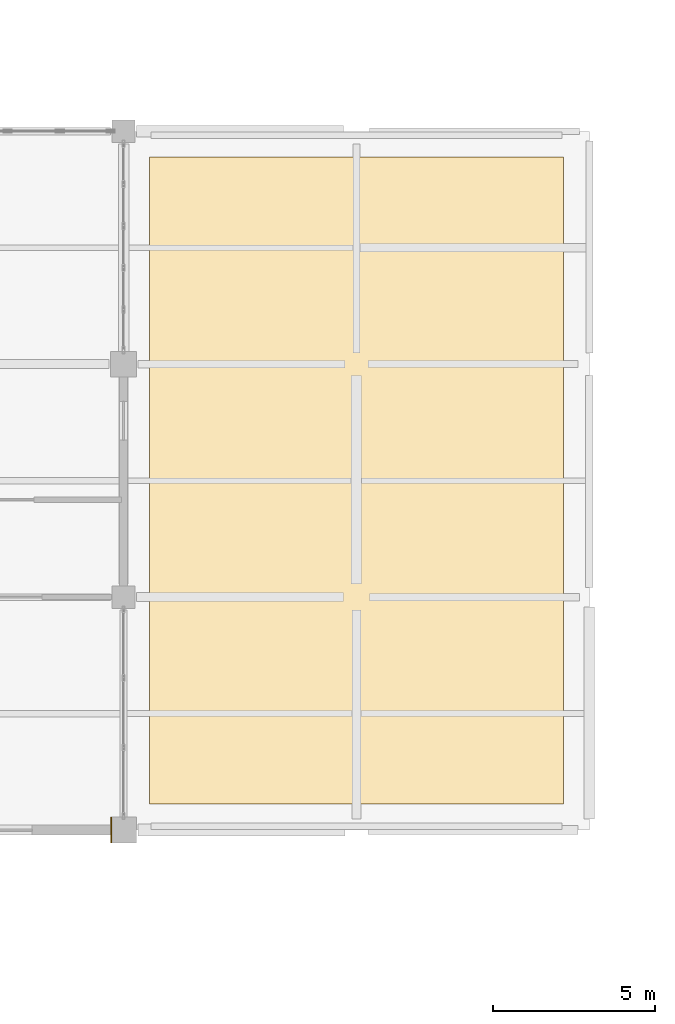
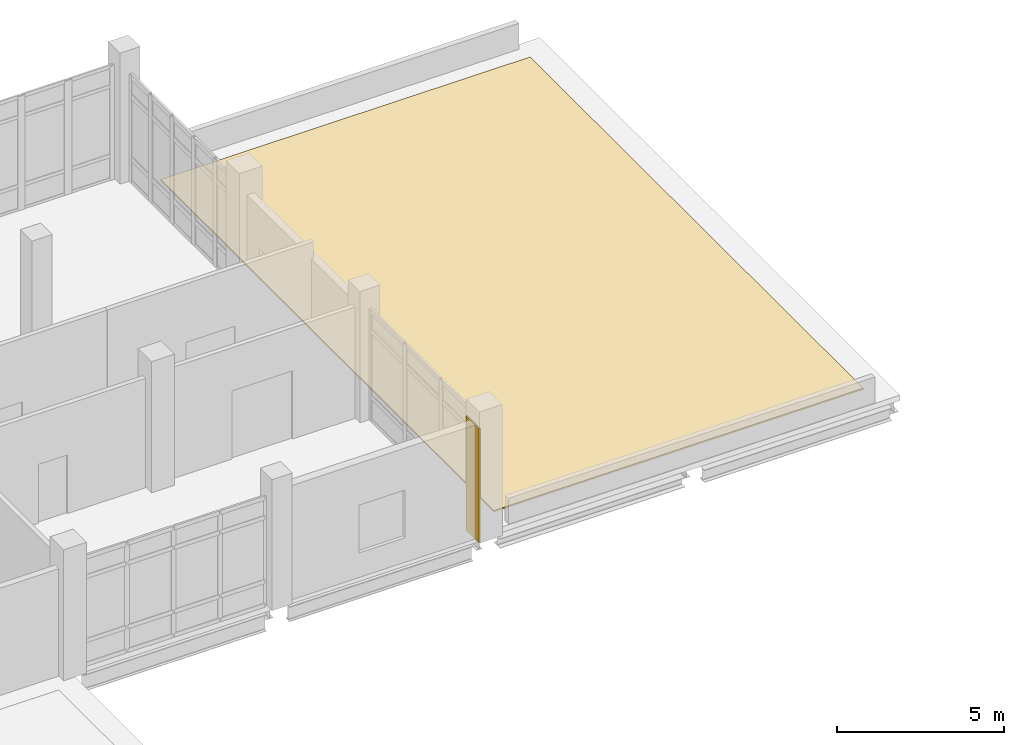
# One storey, part 153 of 153: 2 coverings.
"""IFC4 building model written with IfcOpenShell, lengths in metres."""

from ifc_helpers import new_model, si_unit, direction, frame, origin, place, context, subcontext, project, spatial, polyline, outline, extrude, material, layer, layer_set, type_object, element, save


model = new_model("IFC4")

# Units and contexts
model_context = context("Model", 3, precision=1e-05, world=origin(), true_north=direction((0.0, 1.0)))
body_context = subcontext(model_context, "Body", "Model", "MODEL_VIEW")
ifc_project = project(units=[si_unit("LENGTHUNIT", "METRE"), si_unit("AREAUNIT", "SQUARE_METRE"), si_unit("VOLUMEUNIT", "CUBIC_METRE"), si_unit("PLANEANGLEUNIT", "RADIAN"), si_unit("MASSUNIT", "GRAM", prefix="KILO")], contexts=[model_context])

# Site, building, storey
site_placement = place(None, origin())
site = spatial("IfcSite", under=ifc_project, at=site_placement, CompositionType="ELEMENT")
building_placement = place(site_placement, origin())
building = spatial("IfcBuilding", under=site, at=building_placement, Name="Calvrana Isthmian Art Gallery", CompositionType="ELEMENT")
storey_placement = place(building_placement, frame((0.0, 0.0, 10.199951171875)))
storey = spatial("IfcBuildingStorey", under=building, at=storey_placement, Name="L02", CompositionType="ELEMENT", Elevation=10.199951171875)

# Coverings
ifc_material_1 = material(Name="Polychrome glazed terracotta", Category="masonry")
ifc_layer_1 = layer(ifc_material_1, 0.0400390625, Name="Polychrome glazed terracotta")
ifc_layer_set_1 = layer_set([ifc_layer_1], Name="Polychrome glazed terracotta")
covering_type_1 = type_object("IfcCoveringType", Name="COV-CLAD-TERRA", PredefinedType="CLADDING", material=ifc_layer_set_1)
covering_1_placement = place(storey_placement, origin())
element("IfcCovering", 1, at=covering_1_placement, inside=storey, type_object=covering_type_1, Name="Column pocket weather closure L02-16-10-E", PredefinedType="CLADDING", context=body_context, shape_type="SweptSolid", body=[
    extrude(outline(polyline([(134.0, 76.405029296875), (134.0400390625, 76.405029296875), (134.0400390625, 77.195068359375), (134.0, 77.195068359375), (134.0, 76.405029296875)])), origin(), (0.0, 0.0, 1.0), 4.18408203125),
])
ifc_material_2 = material(Name="Standing-seam zinc-aluminium roofing", Category="aluminium")
ifc_layer_2 = layer(ifc_material_2, 0.050048828125, Name="Standing-seam zinc-aluminium roofing")
ifc_layer_set_2 = layer_set([ifc_layer_2], Name="Standing-seam zinc-aluminium roofing")
covering_type_2 = type_object("IfcCoveringType", Name="COV-ROOF-ZINC", PredefinedType="ROOFING", material=ifc_layer_set_2)
covering_2_placement = place(storey_placement, origin())
element("IfcCovering", 2, at=covering_2_placement, inside=storey, type_object=covering_type_2, Name="Insulated roof membrane ROOF_V5E_L02", PredefinedType="ROOFING", context=body_context, shape_type="SweptSolid", body=[
    extrude(outline(polyline([(135.199951171875, 77.60009765625), (148.0, 77.60009765625), (148.0, 97.60009765625), (135.199951171875, 97.60009765625), (135.199951171875, 77.60009765625)])), origin(), (0.0, 0.0, 1.0), 0.050048828125),
])

save(model, "model.ifc")
